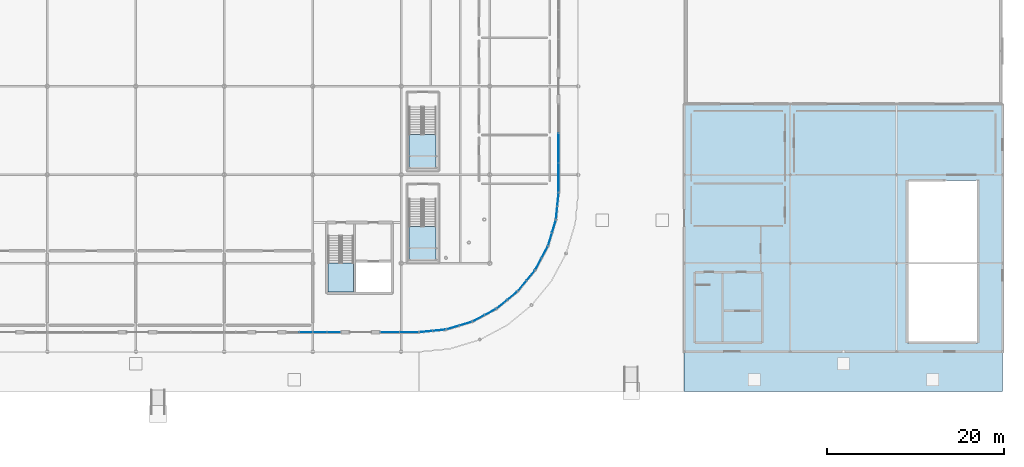
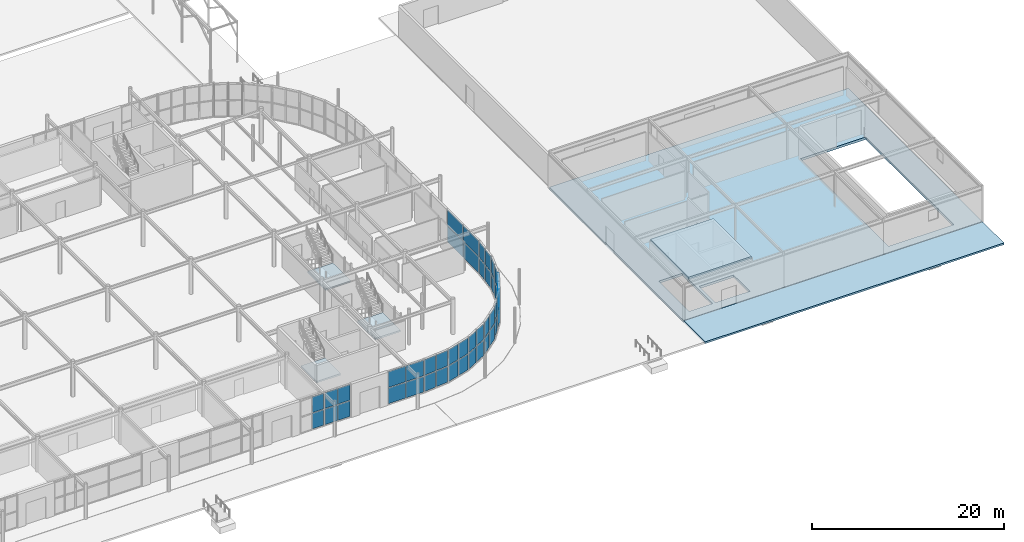
# One storey, part 79 of 119: 46 plates, 6 slabs, 15 elements without a shape of their own.
"""IFC4 building model written with IfcOpenShell, lengths in metres."""

from ifc_helpers import new_model, si_unit, derived_unit, direction, frame, origin, origin_2d_with_axis, place, context, subcontext, project, spatial, polyline, rectangle, outline, extrude, material, layer, layer_set, type_object, element, aggregate, save


model = new_model("IFC4")

# Units and contexts
model_context = context("Model", 3, precision=1e-05, world=origin(), true_north=direction((0.0, 1.0)))
body_context = subcontext(model_context, "Body", "Model", "MODEL_VIEW")
ifc_project = project(units=[si_unit("LENGTHUNIT", "METRE"), si_unit("AREAUNIT", "SQUARE_METRE"), si_unit("VOLUMEUNIT", "CUBIC_METRE"), si_unit("PLANEANGLEUNIT", "RADIAN"), si_unit("MASSUNIT", "GRAM", prefix="KILO"), derived_unit("THERMALTRANSMITTANCEUNIT", [(si_unit("POWERUNIT", "WATT"), 1), (si_unit("LENGTHUNIT", "METRE"), -2), (si_unit("THERMODYNAMICTEMPERATUREUNIT", "KELVIN"), -1)])], contexts=[model_context])

# Site, building, storey
site_placement = place(None, origin())
site = spatial("IfcSite", under=ifc_project, at=site_placement, CompositionType="ELEMENT")
building_placement = place(site_placement, origin())
building = spatial("IfcBuilding", under=site, at=building_placement, Name="Cinnabar Yard Market Hall", CompositionType="ELEMENT")
storey_placement = place(building_placement, origin())
storey = spatial("IfcBuildingStorey", under=building, at=storey_placement, Name="L00", CompositionType="ELEMENT", Elevation=0.0)

# Curtain wall, plates
ifc_material_1 = material(Name="Anodised bronze aluminium and low-E glass", Category="aluminium")
curtain_wall_type_1 = type_object("IfcCurtainWallType", Name="CW-CWH030x42", PredefinedType="NOTDEFINED", material=ifc_material_1)
curtain_wall_1_placement = place(storey_placement, origin())
curtain_wall_1 = element("IfcCurtainWall", 1, at=curtain_wall_1_placement, inside=storey, type_object=curtain_wall_type_1, Name="Market Hall South Ground Glazing B5B", PredefinedType="NOTDEFINED")
ifc_material_2 = material(Name="Low-E laminated glass", Category="glass")
ifc_layer_1 = layer(ifc_material_2, 0.031982421875)
ifc_layer_set_1 = layer_set([ifc_layer_1], Name="Low-E laminated glass")
plate_type_1 = type_object("IfcPlateType", Name="CWP-GP138x200", PredefinedType="CURTAIN_PANEL", material=ifc_layer_set_1)
plate_1_placement = place(storey_placement, frame((135.22998046875, 16.199951171875, 0.080078125), z_axis=(0.0, 0.0, 1.0), x_axis=(1.0, 0.0, 0.0)))
plate_1 = element("IfcPlate", 2, at=plate_1_placement, type_object=plate_type_1, Name="CWH030x42 panel 2.1", PredefinedType="CURTAIN_PANEL", context=body_context, shape_type="SweptSolid", body=[
    extrude(rectangle(XDim=1.3798828125, YDim=0.031982421875, at=origin_2d_with_axis()), origin(), (0.0, 0.0, 1.0), 2.0),
])
plate_2_placement = place(storey_placement, frame((135.22998046875, 16.199951171875, 2.159912109375), z_axis=(0.0, 0.0, 1.0), x_axis=(1.0, 0.0, 0.0)))
plate_2 = element("IfcPlate", 3, at=plate_2_placement, type_object=plate_type_1, Name="CWH030x42 panel 2.2", PredefinedType="CURTAIN_PANEL", context=body_context, shape_type="SweptSolid", body=[
    extrude(rectangle(XDim=1.3798828125, YDim=0.031982421875, at=origin_2d_with_axis()), origin(), (0.0, 0.0, 1.0), 2.0),
])
aggregate(curtain_wall_1, [plate_1, plate_2])

ifc_material_3 = material(Name="Anodised bronze aluminium curved-chord facade", Category="aluminium")
curtain_wall_type_2 = type_object("IfcCurtainWallType", Name="CW-CWC031x42", PredefinedType="NOTDEFINED", material=ifc_material_3)
curtain_wall_2_placement = place(storey_placement, origin())
curtain_wall_2 = element("IfcCurtainWall", 4, at=curtain_wall_2_placement, inside=storey, type_object=curtain_wall_type_2, Name="Corner SE Chord 1 L00", PredefinedType="NOTDEFINED")
ifc_layer_2 = layer(ifc_material_2, 0.031982421875)
ifc_layer_set_2 = layer_set([ifc_layer_2], Name="Low-E laminated glass")
plate_type_2 = type_object("IfcPlateType", Name="CWP-GP141x199", PredefinedType="CURTAIN_PANEL", material=ifc_layer_set_2)
plate_3_placement = place(storey_placement, frame((148.79296875, 16.278076171875, 0.08984375), z_axis=(0.0, 0.0, 1.0), x_axis=(0.995184408637, 0.098020369342, 0.0)))
plate_3 = element("IfcPlate", 5, at=plate_3_placement, type_object=plate_type_2, Name="CWC031x42 panel 1.1", PredefinedType="CURTAIN_PANEL", context=body_context, shape_type="SweptSolid", body=[
    extrude(rectangle(XDim=1.41357421875, YDim=0.031982421875, at=origin_2d_with_axis()), origin(), (0.0, 0.0, 1.0), 1.985107421875),
])
plate_4_placement = place(storey_placement, frame((148.79296875, 16.278076171875, 2.1650390625), z_axis=(0.0, 0.0, 1.0), x_axis=(0.995184408637, 0.098020369342, 0.0)))
plate_4 = element("IfcPlate", 6, at=plate_4_placement, type_object=plate_type_2, Name="CWC031x42 panel 1.2", PredefinedType="CURTAIN_PANEL", context=body_context, shape_type="SweptSolid", body=[
    extrude(rectangle(XDim=1.41357421875, YDim=0.031982421875, at=origin_2d_with_axis()), origin(), (0.0, 0.0, 1.0), 1.985107421875),
])
plate_5_placement = place(storey_placement, frame((150.289306640625, 16.425537109375, 0.08984375), z_axis=(0.0, 0.0, 1.0), x_axis=(0.995184408637, 0.098020369342, 0.0)))
plate_5 = element("IfcPlate", 7, at=plate_5_placement, type_object=plate_type_2, Name="CWC031x42 panel 2.1", PredefinedType="CURTAIN_PANEL", context=body_context, shape_type="SweptSolid", body=[
    extrude(rectangle(XDim=1.41357421875, YDim=0.031982421875, at=origin_2d_with_axis()), origin(), (0.0, 0.0, 1.0), 1.985107421875),
])
plate_6_placement = place(storey_placement, frame((150.289306640625, 16.425537109375, 2.1650390625), z_axis=(0.0, 0.0, 1.0), x_axis=(0.995184408637, 0.098020369342, 0.0)))
plate_6 = element("IfcPlate", 8, at=plate_6_placement, type_object=plate_type_2, Name="CWC031x42 panel 2.2", PredefinedType="CURTAIN_PANEL", context=body_context, shape_type="SweptSolid", body=[
    extrude(rectangle(XDim=1.41357421875, YDim=0.031982421875, at=origin_2d_with_axis()), origin(), (0.0, 0.0, 1.0), 1.985107421875),
])
aggregate(curtain_wall_2, [plate_3, plate_4, plate_5, plate_6])

curtain_wall_3_placement = place(storey_placement, origin())
curtain_wall_3 = element("IfcCurtainWall", 9, at=curtain_wall_3_placement, inside=storey, type_object=curtain_wall_type_2, Name="Corner SE Chord 2 L00", PredefinedType="NOTDEFINED")
plate_7_placement = place(storey_placement, frame((151.844970703125, 16.73486328125, 0.08984375), z_axis=(0.0, 0.0, 1.0), x_axis=(0.956942090856, 0.290278891325, 0.0)))
plate_7 = element("IfcPlate", 10, at=plate_7_placement, type_object=plate_type_2, Name="CWC031x42 panel 1.1", PredefinedType="CURTAIN_PANEL", context=body_context, shape_type="SweptSolid", body=[
    extrude(rectangle(XDim=1.41357421875, YDim=0.031982421875, at=origin_2d_with_axis()), origin(), (0.0, 0.0, 1.0), 1.985107421875),
])
plate_8_placement = place(storey_placement, frame((151.844970703125, 16.73486328125, 2.1650390625), z_axis=(0.0, 0.0, 1.0), x_axis=(0.956942090856, 0.290278891325, 0.0)))
plate_8 = element("IfcPlate", 11, at=plate_8_placement, type_object=plate_type_2, Name="CWC031x42 panel 1.2", PredefinedType="CURTAIN_PANEL", context=body_context, shape_type="SweptSolid", body=[
    extrude(rectangle(XDim=1.41357421875, YDim=0.031982421875, at=origin_2d_with_axis()), origin(), (0.0, 0.0, 1.0), 1.985107421875),
])
plate_9_placement = place(storey_placement, frame((153.283935546875, 17.17138671875, 0.08984375), z_axis=(0.0, 0.0, 1.0), x_axis=(0.956942090856, 0.290278891325, 0.0)))
plate_9 = element("IfcPlate", 12, at=plate_9_placement, type_object=plate_type_2, Name="CWC031x42 panel 2.1", PredefinedType="CURTAIN_PANEL", context=body_context, shape_type="SweptSolid", body=[
    extrude(rectangle(XDim=1.41357421875, YDim=0.031982421875, at=origin_2d_with_axis()), origin(), (0.0, 0.0, 1.0), 1.985107421875),
])
plate_10_placement = place(storey_placement, frame((153.283935546875, 17.17138671875, 2.1650390625), z_axis=(0.0, 0.0, 1.0), x_axis=(0.956942090856, 0.290278891325, 0.0)))
plate_10 = element("IfcPlate", 13, at=plate_10_placement, type_object=plate_type_2, Name="CWC031x42 panel 2.2", PredefinedType="CURTAIN_PANEL", context=body_context, shape_type="SweptSolid", body=[
    extrude(rectangle(XDim=1.41357421875, YDim=0.031982421875, at=origin_2d_with_axis()), origin(), (0.0, 0.0, 1.0), 1.985107421875),
])
aggregate(curtain_wall_3, [plate_7, plate_8, plate_9, plate_10])

curtain_wall_4_placement = place(storey_placement, origin())
curtain_wall_4 = element("IfcCurtainWall", 14, at=curtain_wall_4_placement, inside=storey, type_object=curtain_wall_type_2, Name="Corner SE Chord 3 L00", PredefinedType="NOTDEFINED")
plate_11_placement = place(storey_placement, frame((154.7490234375, 17.7783203125, 0.08984375), z_axis=(0.0, 0.0, 1.0), x_axis=(0.881917320707, 0.471404114786, 0.0)))
plate_11 = element("IfcPlate", 15, at=plate_11_placement, type_object=plate_type_2, Name="CWC031x42 panel 1.1", PredefinedType="CURTAIN_PANEL", context=body_context, shape_type="SweptSolid", body=[
    extrude(rectangle(XDim=1.41357421875, YDim=0.031982421875, at=origin_2d_with_axis()), origin(), (0.0, 0.0, 1.0), 1.985107421875),
])
plate_12_placement = place(storey_placement, frame((154.7490234375, 17.7783203125, 2.1650390625), z_axis=(0.0, 0.0, 1.0), x_axis=(0.881917320707, 0.471404114786, 0.0)))
plate_12 = element("IfcPlate", 16, at=plate_12_placement, type_object=plate_type_2, Name="CWC031x42 panel 1.2", PredefinedType="CURTAIN_PANEL", context=body_context, shape_type="SweptSolid", body=[
    extrude(rectangle(XDim=1.41357421875, YDim=0.031982421875, at=origin_2d_with_axis()), origin(), (0.0, 0.0, 1.0), 1.985107421875),
])
plate_13_placement = place(storey_placement, frame((156.0751953125, 18.487060546875, 0.08984375), z_axis=(0.0, 0.0, 1.0), x_axis=(0.881917320707, 0.471404114786, 0.0)))
plate_13 = element("IfcPlate", 17, at=plate_13_placement, type_object=plate_type_2, Name="CWC031x42 panel 2.1", PredefinedType="CURTAIN_PANEL", context=body_context, shape_type="SweptSolid", body=[
    extrude(rectangle(XDim=1.41357421875, YDim=0.031982421875, at=origin_2d_with_axis()), origin(), (0.0, 0.0, 1.0), 1.985107421875),
])
plate_14_placement = place(storey_placement, frame((156.0751953125, 18.487060546875, 2.1650390625), z_axis=(0.0, 0.0, 1.0), x_axis=(0.881917320707, 0.471404114786, 0.0)))
plate_14 = element("IfcPlate", 18, at=plate_14_placement, type_object=plate_type_2, Name="CWC031x42 panel 2.2", PredefinedType="CURTAIN_PANEL", context=body_context, shape_type="SweptSolid", body=[
    extrude(rectangle(XDim=1.41357421875, YDim=0.031982421875, at=origin_2d_with_axis()), origin(), (0.0, 0.0, 1.0), 1.985107421875),
])
aggregate(curtain_wall_4, [plate_11, plate_12, plate_13, plate_14])

curtain_wall_5_placement = place(storey_placement, origin())
curtain_wall_5 = element("IfcCurtainWall", 19, at=curtain_wall_5_placement, inside=storey, type_object=curtain_wall_type_2, Name="Corner SE Chord 4 L00", PredefinedType="NOTDEFINED")
plate_15_placement = place(storey_placement, frame((157.39404296875, 19.368408203125, 0.08984375), z_axis=(0.0, 0.0, 1.0), x_axis=(0.773018564222, 0.634383400924, 0.0)))
plate_15 = element("IfcPlate", 20, at=plate_15_placement, type_object=plate_type_2, Name="CWC031x42 panel 1.1", PredefinedType="CURTAIN_PANEL", context=body_context, shape_type="SweptSolid", body=[
    extrude(rectangle(XDim=1.41357421875, YDim=0.031982421875, at=origin_2d_with_axis()), origin(), (0.0, 0.0, 1.0), 1.985107421875),
])
plate_16_placement = place(storey_placement, frame((157.39404296875, 19.368408203125, 2.1650390625), z_axis=(0.0, 0.0, 1.0), x_axis=(0.773018564222, 0.634383400924, 0.0)))
plate_16 = element("IfcPlate", 21, at=plate_16_placement, type_object=plate_type_2, Name="CWC031x42 panel 1.2", PredefinedType="CURTAIN_PANEL", context=body_context, shape_type="SweptSolid", body=[
    extrude(rectangle(XDim=1.41357421875, YDim=0.031982421875, at=origin_2d_with_axis()), origin(), (0.0, 0.0, 1.0), 1.985107421875),
])
plate_17_placement = place(storey_placement, frame((158.556396484375, 20.322265625, 0.08984375), z_axis=(0.0, 0.0, 1.0), x_axis=(0.773018564222, 0.634383400924, 0.0)))
plate_17 = element("IfcPlate", 22, at=plate_17_placement, type_object=plate_type_2, Name="CWC031x42 panel 2.1", PredefinedType="CURTAIN_PANEL", context=body_context, shape_type="SweptSolid", body=[
    extrude(rectangle(XDim=1.41357421875, YDim=0.031982421875, at=origin_2d_with_axis()), origin(), (0.0, 0.0, 1.0), 1.985107421875),
])
plate_18_placement = place(storey_placement, frame((158.556396484375, 20.322265625, 2.1650390625), z_axis=(0.0, 0.0, 1.0), x_axis=(0.773018564222, 0.634383400924, 0.0)))
plate_18 = element("IfcPlate", 23, at=plate_18_placement, type_object=plate_type_2, Name="CWC031x42 panel 2.2", PredefinedType="CURTAIN_PANEL", context=body_context, shape_type="SweptSolid", body=[
    extrude(rectangle(XDim=1.41357421875, YDim=0.031982421875, at=origin_2d_with_axis()), origin(), (0.0, 0.0, 1.0), 1.985107421875),
])
aggregate(curtain_wall_5, [plate_15, plate_16, plate_17, plate_18])

curtain_wall_6_placement = place(storey_placement, origin())
curtain_wall_6 = element("IfcCurtainWall", 24, at=curtain_wall_6_placement, inside=storey, type_object=curtain_wall_type_2, Name="Corner SE Chord 5 L00", PredefinedType="NOTDEFINED")
plate_19_placement = place(storey_placement, frame((159.677734375, 21.443603515625, 0.08984375), z_axis=(0.0, 0.0, 1.0), x_axis=(0.634383400924, 0.773018564222, 0.0)))
plate_19 = element("IfcPlate", 25, at=plate_19_placement, type_object=plate_type_2, Name="CWC031x42 panel 1.1", PredefinedType="CURTAIN_PANEL", context=body_context, shape_type="SweptSolid", body=[
    extrude(rectangle(XDim=1.41357421875, YDim=0.031982421875, at=origin_2d_with_axis()), origin(), (0.0, 0.0, 1.0), 1.985107421875),
])
plate_20_placement = place(storey_placement, frame((159.677734375, 21.443603515625, 2.1650390625), z_axis=(0.0, 0.0, 1.0), x_axis=(0.634383400924, 0.773018564222, 0.0)))
plate_20 = element("IfcPlate", 26, at=plate_20_placement, type_object=plate_type_2, Name="CWC031x42 panel 1.2", PredefinedType="CURTAIN_PANEL", context=body_context, shape_type="SweptSolid", body=[
    extrude(rectangle(XDim=1.41357421875, YDim=0.031982421875, at=origin_2d_with_axis()), origin(), (0.0, 0.0, 1.0), 1.985107421875),
])
plate_21_placement = place(storey_placement, frame((160.631591796875, 22.60595703125, 0.08984375), z_axis=(0.0, 0.0, 1.0), x_axis=(0.634383400924, 0.773018564222, 0.0)))
plate_21 = element("IfcPlate", 27, at=plate_21_placement, type_object=plate_type_2, Name="CWC031x42 panel 2.1", PredefinedType="CURTAIN_PANEL", context=body_context, shape_type="SweptSolid", body=[
    extrude(rectangle(XDim=1.41357421875, YDim=0.031982421875, at=origin_2d_with_axis()), origin(), (0.0, 0.0, 1.0), 1.985107421875),
])
plate_22_placement = place(storey_placement, frame((160.631591796875, 22.60595703125, 2.1650390625), z_axis=(0.0, 0.0, 1.0), x_axis=(0.634383400924, 0.773018564222, 0.0)))
plate_22 = element("IfcPlate", 28, at=plate_22_placement, type_object=plate_type_2, Name="CWC031x42 panel 2.2", PredefinedType="CURTAIN_PANEL", context=body_context, shape_type="SweptSolid", body=[
    extrude(rectangle(XDim=1.41357421875, YDim=0.031982421875, at=origin_2d_with_axis()), origin(), (0.0, 0.0, 1.0), 1.985107421875),
])
aggregate(curtain_wall_6, [plate_19, plate_20, plate_21, plate_22])

curtain_wall_7_placement = place(storey_placement, origin())
curtain_wall_7 = element("IfcCurtainWall", 29, at=curtain_wall_7_placement, inside=storey, type_object=curtain_wall_type_2, Name="Corner SE Chord 6 L00", PredefinedType="NOTDEFINED")
plate_23_placement = place(storey_placement, frame((161.512939453125, 23.9248046875, 0.08984375), z_axis=(0.0, 0.0, 1.0), x_axis=(0.471404114786, 0.881917320707, 0.0)))
plate_23 = element("IfcPlate", 30, at=plate_23_placement, type_object=plate_type_2, Name="CWC031x42 panel 1.1", PredefinedType="CURTAIN_PANEL", context=body_context, shape_type="SweptSolid", body=[
    extrude(rectangle(XDim=1.41357421875, YDim=0.031982421875, at=origin_2d_with_axis()), origin(), (0.0, 0.0, 1.0), 1.985107421875),
])
plate_24_placement = place(storey_placement, frame((161.512939453125, 23.9248046875, 2.1650390625), z_axis=(0.0, 0.0, 1.0), x_axis=(0.471404114786, 0.881917320707, 0.0)))
plate_24 = element("IfcPlate", 31, at=plate_24_placement, type_object=plate_type_2, Name="CWC031x42 panel 1.2", PredefinedType="CURTAIN_PANEL", context=body_context, shape_type="SweptSolid", body=[
    extrude(rectangle(XDim=1.41357421875, YDim=0.031982421875, at=origin_2d_with_axis()), origin(), (0.0, 0.0, 1.0), 1.985107421875),
])
plate_25_placement = place(storey_placement, frame((162.2216796875, 25.2509765625, 0.08984375), z_axis=(0.0, 0.0, 1.0), x_axis=(0.471404114786, 0.881917320707, 0.0)))
plate_25 = element("IfcPlate", 32, at=plate_25_placement, type_object=plate_type_2, Name="CWC031x42 panel 2.1", PredefinedType="CURTAIN_PANEL", context=body_context, shape_type="SweptSolid", body=[
    extrude(rectangle(XDim=1.41357421875, YDim=0.031982421875, at=origin_2d_with_axis()), origin(), (0.0, 0.0, 1.0), 1.985107421875),
])
plate_26_placement = place(storey_placement, frame((162.2216796875, 25.2509765625, 2.1650390625), z_axis=(0.0, 0.0, 1.0), x_axis=(0.471404114786, 0.881917320707, 0.0)))
plate_26 = element("IfcPlate", 33, at=plate_26_placement, type_object=plate_type_2, Name="CWC031x42 panel 2.2", PredefinedType="CURTAIN_PANEL", context=body_context, shape_type="SweptSolid", body=[
    extrude(rectangle(XDim=1.41357421875, YDim=0.031982421875, at=origin_2d_with_axis()), origin(), (0.0, 0.0, 1.0), 1.985107421875),
])
aggregate(curtain_wall_7, [plate_23, plate_24, plate_25, plate_26])

curtain_wall_8_placement = place(storey_placement, origin())
curtain_wall_8 = element("IfcCurtainWall", 34, at=curtain_wall_8_placement, inside=storey, type_object=curtain_wall_type_2, Name="Corner SE Chord 7 L00", PredefinedType="NOTDEFINED")
plate_27_placement = place(storey_placement, frame((162.82861328125, 26.716064453125, 0.08984375), z_axis=(0.0, 0.0, 1.0), x_axis=(0.290278891325, 0.956942090856, 0.0)))
plate_27 = element("IfcPlate", 35, at=plate_27_placement, type_object=plate_type_2, Name="CWC031x42 panel 1.1", PredefinedType="CURTAIN_PANEL", context=body_context, shape_type="SweptSolid", body=[
    extrude(rectangle(XDim=1.41357421875, YDim=0.031982421875, at=origin_2d_with_axis()), origin(), (0.0, 0.0, 1.0), 1.985107421875),
])
plate_28_placement = place(storey_placement, frame((162.82861328125, 26.716064453125, 2.1650390625), z_axis=(0.0, 0.0, 1.0), x_axis=(0.290278891325, 0.956942090856, 0.0)))
plate_28 = element("IfcPlate", 36, at=plate_28_placement, type_object=plate_type_2, Name="CWC031x42 panel 1.2", PredefinedType="CURTAIN_PANEL", context=body_context, shape_type="SweptSolid", body=[
    extrude(rectangle(XDim=1.41357421875, YDim=0.031982421875, at=origin_2d_with_axis()), origin(), (0.0, 0.0, 1.0), 1.985107421875),
])
plate_29_placement = place(storey_placement, frame((163.26513671875, 28.155029296875, 0.08984375), z_axis=(0.0, 0.0, 1.0), x_axis=(0.290278891325, 0.956942090856, 0.0)))
plate_29 = element("IfcPlate", 37, at=plate_29_placement, type_object=plate_type_2, Name="CWC031x42 panel 2.1", PredefinedType="CURTAIN_PANEL", context=body_context, shape_type="SweptSolid", body=[
    extrude(rectangle(XDim=1.41357421875, YDim=0.031982421875, at=origin_2d_with_axis()), origin(), (0.0, 0.0, 1.0), 1.985107421875),
])
plate_30_placement = place(storey_placement, frame((163.26513671875, 28.155029296875, 2.1650390625), z_axis=(0.0, 0.0, 1.0), x_axis=(0.290278891325, 0.956942090856, 0.0)))
plate_30 = element("IfcPlate", 38, at=plate_30_placement, type_object=plate_type_2, Name="CWC031x42 panel 2.2", PredefinedType="CURTAIN_PANEL", context=body_context, shape_type="SweptSolid", body=[
    extrude(rectangle(XDim=1.41357421875, YDim=0.031982421875, at=origin_2d_with_axis()), origin(), (0.0, 0.0, 1.0), 1.985107421875),
])
aggregate(curtain_wall_8, [plate_27, plate_28, plate_29, plate_30])

curtain_wall_9_placement = place(storey_placement, origin())
curtain_wall_9 = element("IfcCurtainWall", 39, at=curtain_wall_9_placement, inside=storey, type_object=curtain_wall_type_2, Name="Corner SE Chord 8 L00", PredefinedType="NOTDEFINED")
plate_31_placement = place(storey_placement, frame((163.574462890625, 29.710693359375, 0.08984375), z_axis=(0.0, 0.0, 1.0), x_axis=(0.098020369342, 0.995184408637, 0.0)))
plate_31 = element("IfcPlate", 40, at=plate_31_placement, type_object=plate_type_2, Name="CWC031x42 panel 1.1", PredefinedType="CURTAIN_PANEL", context=body_context, shape_type="SweptSolid", body=[
    extrude(rectangle(XDim=1.41357421875, YDim=0.031982421875, at=origin_2d_with_axis()), origin(), (0.0, 0.0, 1.0), 1.985107421875),
])
plate_32_placement = place(storey_placement, frame((163.574462890625, 29.710693359375, 2.1650390625), z_axis=(0.0, 0.0, 1.0), x_axis=(0.098020369342, 0.995184408637, 0.0)))
plate_32 = element("IfcPlate", 41, at=plate_32_placement, type_object=plate_type_2, Name="CWC031x42 panel 1.2", PredefinedType="CURTAIN_PANEL", context=body_context, shape_type="SweptSolid", body=[
    extrude(rectangle(XDim=1.41357421875, YDim=0.031982421875, at=origin_2d_with_axis()), origin(), (0.0, 0.0, 1.0), 1.985107421875),
])
plate_33_placement = place(storey_placement, frame((163.721923828125, 31.20703125, 0.08984375), z_axis=(0.0, 0.0, 1.0), x_axis=(0.098020369342, 0.995184408637, 0.0)))
plate_33 = element("IfcPlate", 42, at=plate_33_placement, type_object=plate_type_2, Name="CWC031x42 panel 2.1", PredefinedType="CURTAIN_PANEL", context=body_context, shape_type="SweptSolid", body=[
    extrude(rectangle(XDim=1.41357421875, YDim=0.031982421875, at=origin_2d_with_axis()), origin(), (0.0, 0.0, 1.0), 1.985107421875),
])
plate_34_placement = place(storey_placement, frame((163.721923828125, 31.20703125, 2.1650390625), z_axis=(0.0, 0.0, 1.0), x_axis=(0.098020369342, 0.995184408637, 0.0)))
plate_34 = element("IfcPlate", 43, at=plate_34_placement, type_object=plate_type_2, Name="CWC031x42 panel 2.2", PredefinedType="CURTAIN_PANEL", context=body_context, shape_type="SweptSolid", body=[
    extrude(rectangle(XDim=1.41357421875, YDim=0.031982421875, at=origin_2d_with_axis()), origin(), (0.0, 0.0, 1.0), 1.985107421875),
])
aggregate(curtain_wall_9, [plate_31, plate_32, plate_33, plate_34])

curtain_wall_type_3 = type_object("IfcCurtainWallType", Name="CW-CWH032x42", PredefinedType="NOTDEFINED", material=ifc_material_1)
curtain_wall_10_placement = place(storey_placement, origin())
curtain_wall_10 = element("IfcCurtainWall", 44, at=curtain_wall_10_placement, inside=storey, type_object=curtain_wall_type_3, Name="Market Hall South Ground Glazing B6A", PredefinedType="NOTDEFINED")
ifc_layer_3 = layer(ifc_material_2, 0.031982421875)
ifc_layer_set_3 = layer_set([ifc_layer_3], Name="Low-E laminated glass")
plate_type_3 = type_object("IfcPlateType", Name="CWP-GP148x200", PredefinedType="CURTAIN_PANEL", material=ifc_layer_set_3)
plate_35_placement = place(storey_placement, frame((136.820068359375, 16.199951171875, 0.080078125), z_axis=(0.0, 0.0, 1.0), x_axis=(1.0, 0.0, 0.0)))
plate_35 = element("IfcPlate", 45, at=plate_35_placement, type_object=plate_type_3, Name="CWH032x42 panel 1.1", PredefinedType="CURTAIN_PANEL", context=body_context, shape_type="SweptSolid", body=[
    extrude(rectangle(XDim=1.47998046875, YDim=0.031982421875, at=origin_2d_with_axis()), origin(), (0.0, 0.0, 1.0), 2.0),
])
plate_36_placement = place(storey_placement, frame((136.820068359375, 16.199951171875, 2.159912109375), z_axis=(0.0, 0.0, 1.0), x_axis=(1.0, 0.0, 0.0)))
plate_36 = element("IfcPlate", 46, at=plate_36_placement, type_object=plate_type_3, Name="CWH032x42 panel 1.2", PredefinedType="CURTAIN_PANEL", context=body_context, shape_type="SweptSolid", body=[
    extrude(rectangle(XDim=1.47998046875, YDim=0.031982421875, at=origin_2d_with_axis()), origin(), (0.0, 0.0, 1.0), 2.0),
])
plate_37_placement = place(storey_placement, frame((138.3798828125, 16.199951171875, 0.080078125), z_axis=(0.0, 0.0, 1.0), x_axis=(1.0, 0.0, 0.0)))
plate_37 = element("IfcPlate", 47, at=plate_37_placement, type_object=plate_type_3, Name="CWH032x42 panel 2.1", PredefinedType="CURTAIN_PANEL", context=body_context, shape_type="SweptSolid", body=[
    extrude(rectangle(XDim=1.47998046875, YDim=0.031982421875, at=origin_2d_with_axis()), origin(), (0.0, 0.0, 1.0), 2.0),
])
plate_38_placement = place(storey_placement, frame((138.3798828125, 16.199951171875, 2.159912109375), z_axis=(0.0, 0.0, 1.0), x_axis=(1.0, 0.0, 0.0)))
plate_38 = element("IfcPlate", 48, at=plate_38_placement, type_object=plate_type_3, Name="CWH032x42 panel 2.2", PredefinedType="CURTAIN_PANEL", context=body_context, shape_type="SweptSolid", body=[
    extrude(rectangle(XDim=1.47998046875, YDim=0.031982421875, at=origin_2d_with_axis()), origin(), (0.0, 0.0, 1.0), 2.0),
])
aggregate(curtain_wall_10, [plate_35, plate_36, plate_37, plate_38])

curtain_wall_type_4 = type_object("IfcCurtainWallType", Name="CW-CWH044x42", PredefinedType="NOTDEFINED", material=ifc_material_1)
curtain_wall_11_placement = place(storey_placement, origin())
curtain_wall_11 = element("IfcCurtainWall", 49, at=curtain_wall_11_placement, inside=storey, type_object=curtain_wall_type_4, Name="Market Hall South Ground Glazing B6B", PredefinedType="NOTDEFINED")
ifc_layer_4 = layer(ifc_material_2, 0.031982421875)
ifc_layer_set_4 = layer_set([ifc_layer_4], Name="Low-E laminated glass")
plate_type_4 = type_object("IfcPlateType", Name="CWP-GP208x200", PredefinedType="CURTAIN_PANEL", material=ifc_layer_set_4)
plate_39_placement = place(storey_placement, frame((144.719970703125, 16.199951171875, 0.080078125), z_axis=(0.0, 0.0, 1.0), x_axis=(1.0, 0.0, 0.0)))
plate_39 = element("IfcPlate", 50, at=plate_39_placement, type_object=plate_type_4, Name="CWH044x42 panel 1.1", PredefinedType="CURTAIN_PANEL", context=body_context, shape_type="SweptSolid", body=[
    extrude(rectangle(XDim=2.080078125, YDim=0.031982421875, at=origin_2d_with_axis()), origin(), (0.0, 0.0, 1.0), 2.0),
])
plate_40_placement = place(storey_placement, frame((144.719970703125, 16.199951171875, 2.159912109375), z_axis=(0.0, 0.0, 1.0), x_axis=(1.0, 0.0, 0.0)))
plate_40 = element("IfcPlate", 51, at=plate_40_placement, type_object=plate_type_4, Name="CWH044x42 panel 1.2", PredefinedType="CURTAIN_PANEL", context=body_context, shape_type="SweptSolid", body=[
    extrude(rectangle(XDim=2.080078125, YDim=0.031982421875, at=origin_2d_with_axis()), origin(), (0.0, 0.0, 1.0), 2.0),
])
plate_41_placement = place(storey_placement, frame((146.8798828125, 16.199951171875, 0.080078125), z_axis=(0.0, 0.0, 1.0), x_axis=(1.0, 0.0, 0.0)))
plate_41 = element("IfcPlate", 52, at=plate_41_placement, type_object=plate_type_4, Name="CWH044x42 panel 2.1", PredefinedType="CURTAIN_PANEL", context=body_context, shape_type="SweptSolid", body=[
    extrude(rectangle(XDim=2.080078125, YDim=0.031982421875, at=origin_2d_with_axis()), origin(), (0.0, 0.0, 1.0), 2.0),
])
plate_42_placement = place(storey_placement, frame((146.8798828125, 16.199951171875, 2.159912109375), z_axis=(0.0, 0.0, 1.0), x_axis=(1.0, 0.0, 0.0)))
plate_42 = element("IfcPlate", 53, at=plate_42_placement, type_object=plate_type_4, Name="CWH044x42 panel 2.2", PredefinedType="CURTAIN_PANEL", context=body_context, shape_type="SweptSolid", body=[
    extrude(rectangle(XDim=2.080078125, YDim=0.031982421875, at=origin_2d_with_axis()), origin(), (0.0, 0.0, 1.0), 2.0),
])
aggregate(curtain_wall_11, [plate_39, plate_40, plate_41, plate_42])

curtain_wall_type_5 = type_object("IfcCurtainWallType", Name="CW-CWH100x42", PredefinedType="NOTDEFINED", material=ifc_material_1)
curtain_wall_12_placement = place(storey_placement, origin())
curtain_wall_12 = element("IfcCurtainWall", 54, at=curtain_wall_12_placement, inside=storey, type_object=curtain_wall_type_5, Name="Market Hall East Ground Glazing W1", PredefinedType="NOTDEFINED")
ifc_layer_5 = layer(ifc_material_2, 0.031982421875)
ifc_layer_set_5 = layer_set([ifc_layer_5], Name="Low-E laminated glass")
plate_type_5 = type_object("IfcPlateType", Name="CWP-GP321x200", PredefinedType="CURTAIN_PANEL", material=ifc_layer_set_5)
plate_43_placement = place(storey_placement, frame((163.800048828125, 33.686767578125, 0.080078125), z_axis=(0.0, 0.0, 1.0), x_axis=(0.0, 1.0, 0.0)))
plate_43 = element("IfcPlate", 55, at=plate_43_placement, type_object=plate_type_5, Name="CWH100x42 panel 1.1", PredefinedType="CURTAIN_PANEL", context=body_context, shape_type="SweptSolid", body=[
    extrude(rectangle(XDim=3.21337890625, YDim=0.031982421875, at=origin_2d_with_axis()), origin(), (0.0, 0.0, 1.0), 2.0),
])
plate_44_placement = place(storey_placement, frame((163.800048828125, 33.686767578125, 2.159912109375), z_axis=(0.0, 0.0, 1.0), x_axis=(0.0, 1.0, 0.0)))
plate_44 = element("IfcPlate", 56, at=plate_44_placement, type_object=plate_type_5, Name="CWH100x42 panel 1.2", PredefinedType="CURTAIN_PANEL", context=body_context, shape_type="SweptSolid", body=[
    extrude(rectangle(XDim=3.21337890625, YDim=0.031982421875, at=origin_2d_with_axis()), origin(), (0.0, 0.0, 1.0), 2.0),
])
ifc_layer_6 = layer(ifc_material_2, 0.031982421875)
ifc_layer_set_6 = layer_set([ifc_layer_6], Name="Low-E laminated glass")
plate_type_6 = type_object("IfcPlateType", Name="CWP-GP325x200", PredefinedType="CURTAIN_PANEL", material=ifc_layer_set_6)
plate_45_placement = place(storey_placement, frame((163.800048828125, 37.0, 0.080078125), z_axis=(0.0, 0.0, 1.0), x_axis=(0.0, 1.0, 0.0)))
plate_45 = element("IfcPlate", 57, at=plate_45_placement, type_object=plate_type_6, Name="CWH100x42 panel 2.1", PredefinedType="CURTAIN_PANEL", context=body_context, shape_type="SweptSolid", body=[
    extrude(rectangle(XDim=3.25341796875, YDim=0.031982421875, at=origin_2d_with_axis()), origin(), (0.0, 0.0, 1.0), 2.0),
])
plate_46_placement = place(storey_placement, frame((163.800048828125, 37.0, 2.159912109375), z_axis=(0.0, 0.0, 1.0), x_axis=(0.0, 1.0, 0.0)))
plate_46 = element("IfcPlate", 58, at=plate_46_placement, type_object=plate_type_6, Name="CWH100x42 panel 2.2", PredefinedType="CURTAIN_PANEL", context=body_context, shape_type="SweptSolid", body=[
    extrude(rectangle(XDim=3.25341796875, YDim=0.031982421875, at=origin_2d_with_axis()), origin(), (0.0, 0.0, 1.0), 2.0),
])
aggregate(curtain_wall_12, [plate_43, plate_44, plate_45, plate_46])

# Slabs
ifc_material_4 = material(Name="Concrete 40 MPa", Category="concrete")
ifc_layer_7 = layer(ifc_material_4, 0.219970703125)
ifc_layer_set_7 = layer_set([ifc_layer_7], Name="Concrete 40 MPa")
slab_type_1 = type_object("IfcSlabType", Name="SL-APRON", PredefinedType="BASESLAB", material=ifc_layer_set_7)
slab_1_placement = place(storey_placement, frame((0.0, 0.0, -0.219970703125)))
element("IfcSlab", 59, at=slab_1_placement, inside=storey, type_object=slab_type_1, Name="Dock South Escape Apron", PredefinedType="BASESLAB", context=body_context, shape_type="SweptSolid", body=[
    extrude(outline(polyline([(178.0, 9.5), (214.0, 9.5), (214.0, 13.9599609375), (178.0, 13.9599609375), (178.0, 9.5)])), origin(), (0.0, 0.0, 1.0), 0.219970703125),
])
ifc_layer_8 = layer(ifc_material_4, 0.300048828125)
ifc_layer_set_8 = layer_set([ifc_layer_8], Name="Concrete 40 MPa")
slab_type_2 = type_object("IfcSlabType", Name="SL-L00", PredefinedType="FLOOR", material=ifc_layer_set_8)
slab_2_placement = place(storey_placement, frame((0.0, 0.0, -0.300048828125)))
element("IfcSlab", 60, at=slab_2_placement, inside=storey, type_object=slab_type_2, Name="L00 Loading Dock Slab", PredefinedType="FLOOR", context=body_context, shape_type="SweptSolid", body=[
    extrude(outline(polyline([(178.0, 14.0), (214.0, 14.0), (214.0, 42.0), (178.0, 42.0), (178.0, 14.0)]), holes=[polyline([(203.260009765625, 15.0), (211.139892578125, 15.0), (211.139892578125, 33.3798828125), (203.260009765625, 33.3798828125), (203.260009765625, 15.0)]), polyline([(179.340087890625, 21.4951171875), (179.340087890625, 15.139892578125), (182.199951171875, 15.139892578125), (182.199951171875, 21.4951171875), (179.340087890625, 21.4951171875)]), polyline([(182.5, 15.14990234375), (186.64990234375, 15.14990234375), (186.64990234375, 18.550048828125), (182.5, 18.550048828125), (182.5, 15.14990234375)])]), origin(), (0.0, 0.0, 1.0), 0.300048828125),
])
ifc_layer_9 = layer(ifc_material_4, 0.239990234375)
ifc_layer_set_9 = layer_set([ifc_layer_9], Name="Concrete 40 MPa")
slab_type_3 = type_object("IfcSlabType", Name="SL-L03", PredefinedType="FLOOR", material=ifc_layer_set_9)
slab_3_placement = place(storey_placement, frame((0.0, 0.0, 4.239990234375)))
element("IfcSlab", 61, at=slab_3_placement, inside=storey, type_object=slab_type_3, Name="Core C8 Shaft Cap Slab", PredefinedType="FLOOR", context=body_context, shape_type="SweptSolid", body=[
    extrude(outline(polyline([(179.199951171875, 15.0), (186.800048828125, 15.0), (186.800048828125, 23.0), (179.199951171875, 23.0), (179.199951171875, 15.0)])), origin(), (0.0, 0.0, 1.0), 0.239990234375),
])

# Stair, slab
stair_type_1 = type_object("IfcStairType", Name="ST-CORE", PredefinedType="HALF_TURN_STAIR", material=ifc_material_4)
stair_1_placement = place(storey_placement, origin())
stair_1 = element("IfcStair", 62, at=stair_1_placement, inside=storey, type_object=stair_type_1, Name="L00 Market Hall South-East Core Stair", PredefinedType="HALF_TURN_STAIR")
ifc_layer_10 = layer(ifc_material_4, 0.199951171875)
ifc_layer_set_10 = layer_set([ifc_layer_10], Name="Concrete 40 MPa")
slab_type_4 = type_object("IfcSlabType", Name="SL-LAND", PredefinedType="LANDING", material=ifc_layer_set_10)
slab_4_placement = place(storey_placement, frame((0.0, 0.0, 2.050048828125)))
slab_4 = element("IfcSlab", 63, at=slab_4_placement, type_object=slab_type_4, Name="ST-C2 landing 1", PredefinedType="LANDING", context=body_context, shape_type="SweptSolid", body=[
    extrude(outline(polyline([(137.739990234375, 24.030029296875), (137.739990234375, 20.739990234375), (140.60009765625, 20.739990234375), (140.60009765625, 24.030029296875), (137.739990234375, 24.030029296875)])), origin(), (0.0, 0.0, 1.0), 0.199951171875),
])
aggregate(stair_1, [slab_4])

ifc_material_5 = material(Name="Spotted gum timber treads on steel Grade 350 (350 MPa)", Category="steel")
stair_type_2 = type_object("IfcStairType", Name="ST-FEAT", PredefinedType="HALF_TURN_STAIR", material=ifc_material_5)
stair_2_placement = place(storey_placement, origin())
stair_2 = element("IfcStair", 64, at=stair_2_placement, inside=storey, type_object=stair_type_2, Name="L00 Feature Stair ST-F2", PredefinedType="HALF_TURN_STAIR")
slab_5_placement = place(storey_placement, frame((0.0, 0.0, 2.050048828125)))
slab_5 = element("IfcSlab", 65, at=slab_5_placement, type_object=slab_type_4, Name="ST-F2 landing 1", PredefinedType="LANDING", context=body_context, shape_type="SweptSolid", body=[
    extrude(outline(polyline([(146.89990234375, 38.570068359375), (146.89990234375, 34.85009765625), (149.9599609375, 34.85009765625), (149.9599609375, 38.570068359375), (146.89990234375, 38.570068359375)])), origin(), (0.0, 0.0, 1.0), 0.199951171875),
])
aggregate(stair_2, [slab_5])

stair_3_placement = place(storey_placement, origin())
stair_3 = element("IfcStair", 66, at=stair_3_placement, inside=storey, type_object=stair_type_2, Name="L00 Feature Stair ST-F5", PredefinedType="HALF_TURN_STAIR")
slab_6_placement = place(storey_placement, frame((0.0, 0.0, 2.050048828125)))
slab_6 = element("IfcSlab", 67, at=slab_6_placement, type_object=slab_type_4, Name="ST-F5 landing 1", PredefinedType="LANDING", context=body_context, shape_type="SweptSolid", body=[
    extrude(outline(polyline([(146.89990234375, 28.169921875), (146.89990234375, 24.449951171875), (149.9599609375, 24.449951171875), (149.9599609375, 28.169921875), (146.89990234375, 28.169921875)])), origin(), (0.0, 0.0, 1.0), 0.199951171875),
])
aggregate(stair_3, [slab_6])

save(model, "model.ifc")
